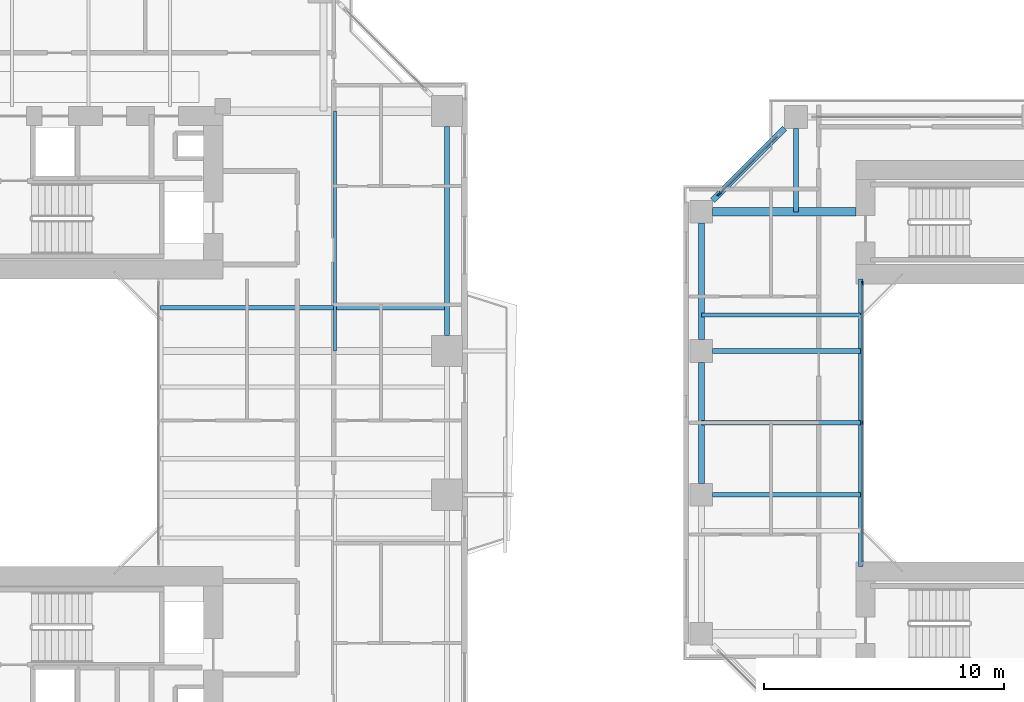
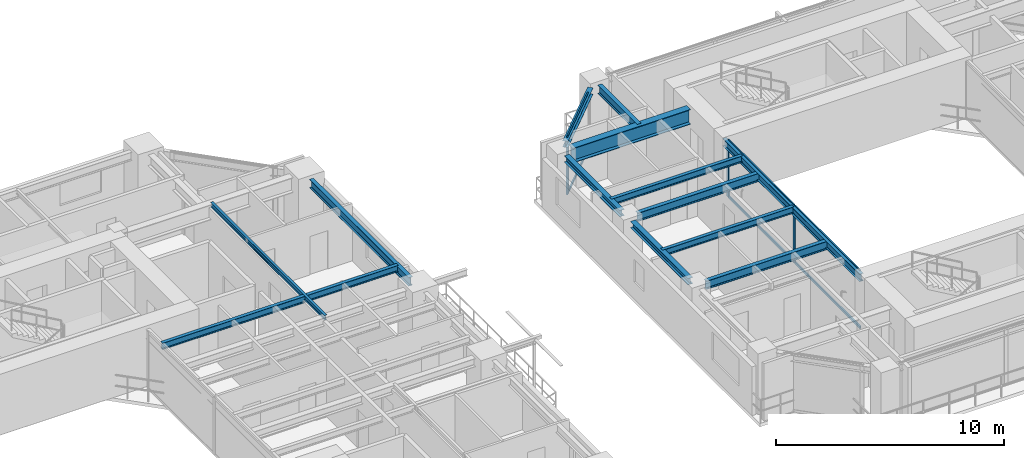
# One storey, part 8 of 24: 13 beams, 9 members, 2 elements without a shape of their own.
"""IFC4 building model written with IfcOpenShell, lengths in metres."""

import ifcopenshell
import ifcopenshell.guid

model = None  # the IFC model being written
_history = None  # IfcOwnerHistory: only IFC2X3 demands one
_inside = {}  # id of a spatial element -> (the spatial element, [elements in it])
_under = {}  # id of a project, library or spatial element -> (it, [spatial elements below it])
_declared = {}  # id of a project -> (the project, [libraries it declares])
_typed = {}  # id of a type object -> (the type object, [elements of that type])
_made_of = {}  # id of a material, layer set ... -> (it, [elements and type objects made of it])


def new_model(schema):
    """Start an empty IFC model of exactly this schema.

    Asked for "IFC4X3", IfcOpenShell would pick the latest addendum, in which some entities
    have other attributes; the version numbers below select the first issue.
    IFC2X3 requires an IfcOwnerHistory on every rooted entity: one is made here for all.
    """
    global model, _history
    if schema == "IFC4X3":
        model = ifcopenshell.file(schema_version=(4, 3, 0, 0))
    else:
        model = ifcopenshell.file(schema=schema)
    _inside.clear()
    _under.clear()
    _declared.clear()
    _typed.clear()
    _made_of.clear()
    _history = None
    if model.schema == "IFC2X3":
        org = make("IfcOrganization", Name="unknown")
        user = make(
            "IfcPersonAndOrganization",
            ThePerson=make("IfcPerson", FamilyName="unknown"),
            TheOrganization=org,
        )
        app = make(
            "IfcApplication",
            ApplicationDeveloper=org,
            Version="unknown",
            ApplicationFullName="unknown",
            ApplicationIdentifier="unknown",
        )
        _history = make(
            "IfcOwnerHistory",
            OwningUser=user,
            OwningApplication=app,
            ChangeAction="ADDED",
            CreationDate=0,
        )
    return model


def make(cls, **values):
    """One entity of the class cls with the attributes given. An attribute that is None is left unset."""
    return model.create_entity(
        cls, **{name: value for name, value in values.items() if value is not None}
    )


def rooted(cls, **values):
    """An entity with a GlobalId (a new one), such as an element, a storey or a relation."""
    return make(cls, GlobalId=ifcopenshell.guid.new(), OwnerHistory=_history, **values)


def si_unit(unit_type, name, prefix=None):
    """IfcSIUnit, for example si_unit("LENGTHUNIT", "METRE", prefix="MILLI")."""
    return make("IfcSIUnit", UnitType=unit_type, Prefix=prefix, Name=name)


def assignment(units):
    """IfcUnitAssignment: the units of a project."""
    return None if units is None else make("IfcUnitAssignment", Units=units)


def point(xyz):
    """IfcCartesianPoint."""
    return None if xyz is None else make("IfcCartesianPoint", Coordinates=xyz)


def direction(xyz):
    """IfcDirection."""
    return None if xyz is None else make("IfcDirection", DirectionRatios=xyz)


def frame(location, z_axis=None, x_axis=None):
    """IfcAxis2Placement3D, a coordinate frame: its origin and axes. An axis left out is left unset."""
    return make(
        "IfcAxis2Placement3D",
        Location=point(location),
        Axis=direction(z_axis),
        RefDirection=direction(x_axis),
    )


def frame_2d(location, x_axis=None):
    """IfcAxis2Placement2D, a coordinate frame in the plane: its origin and x axis."""
    return make(
        "IfcAxis2Placement2D", Location=point(location), RefDirection=direction(x_axis)
    )


def origin():
    """The frame at (0, 0, 0) with its axes left unset."""
    return frame((0.0, 0.0, 0.0))


def origin_2d():
    """The frame at (0, 0) in the plane with its x axis left unset."""
    return frame_2d((0.0, 0.0))


def place(relative_to, where):
    """IfcLocalPlacement: puts the frame where relative to a parent placement (None: the world)."""
    return make(
        "IfcLocalPlacement", PlacementRelTo=relative_to, RelativePlacement=where
    )


def context(
    kind, dimensions, precision=None, world=None, true_north=None, identifier=None
):
    """IfcGeometricRepresentationContext, for example the 3D "Model" context."""
    return make(
        "IfcGeometricRepresentationContext",
        ContextIdentifier=identifier,
        ContextType=kind,
        CoordinateSpaceDimension=dimensions,
        Precision=precision,
        WorldCoordinateSystem=world,
        TrueNorth=true_north,
    )


def subcontext(parent, identifier, kind, view, scale=None):
    """IfcGeometricRepresentationSubContext, for example "Body" below "Model"."""
    return make(
        "IfcGeometricRepresentationSubContext",
        ContextIdentifier=identifier,
        ContextType=kind,
        ParentContext=parent,
        TargetScale=scale,
        TargetView=view,
    )


def project(units=None, contexts=None):
    """IfcProject with its units and contexts."""
    return rooted(
        "IfcProject",
        Name="project",
        RepresentationContexts=contexts,
        UnitsInContext=assignment(units),
    )


def spatial(cls, under=None, at=None, **own):
    """A site, building, storey or space (cls), placed at a placement, below another one or the project."""
    s = rooted(cls, ObjectPlacement=at, **own)
    if under is not None:
        _under.setdefault(under.id(), (under, []))[1].append(s)
    return s


def profile(cls, at=None, kind="AREA", **sizes):
    """A parametric profile (cls). Its sizes go by their IFC names, for example OverallWidth=200.0."""
    return make(cls, ProfileType=kind, Position=at, **sizes)


def rectangle(**sizes):
    """IfcRectangleProfileDef."""
    return profile("IfcRectangleProfileDef", **sizes)


def i_section(**sizes):
    """IfcIShapeProfileDef."""
    return profile("IfcIShapeProfileDef", **sizes)


def extrude(swept, where, along, depth):
    """IfcExtrudedAreaSolid: the profile swept, set in the frame where, extruded along a direction by depth."""
    return make(
        "IfcExtrudedAreaSolid",
        SweptArea=swept,
        Position=where,
        ExtrudedDirection=direction(along),
        Depth=depth,
    )


def shape(context_of_items, identifier, shape_type, items):
    """IfcShapeRepresentation: the items that make up one representation, for example the "Body"."""
    return make(
        "IfcShapeRepresentation",
        ContextOfItems=context_of_items,
        RepresentationIdentifier=identifier,
        RepresentationType=shape_type,
        Items=items,
    )


def source(mapping_origin, context_of_items, identifier, shape_type, items):
    """IfcRepresentationMap: a shape defined once, which mapped items show again and again."""
    return make(
        "IfcRepresentationMap",
        MappingOrigin=mapping_origin,
        MappedRepresentation=shape(context_of_items, identifier, shape_type, items),
    )


def transform(
    local_origin,
    x_axis=None,
    y_axis=None,
    z_axis=None,
    scale=None,
    scale2=None,
    scale3=None,
    uniform=True,
):
    """IfcCartesianTransformationOperator3D, or its non-uniform kind. x_axis, y_axis, z_axis: its Axis1, 2, 3."""
    if uniform:
        return make(
            "IfcCartesianTransformationOperator3D",
            Axis1=direction(x_axis),
            Axis2=direction(y_axis),
            LocalOrigin=point(local_origin),
            Scale=scale,
            Axis3=direction(z_axis),
        )
    return make(
        "IfcCartesianTransformationOperator3DnonUniform",
        Axis1=direction(x_axis),
        Axis2=direction(y_axis),
        LocalOrigin=point(local_origin),
        Scale=scale,
        Axis3=direction(z_axis),
        Scale2=scale2,
        Scale3=scale3,
    )


def mapped(mapping_source, mapping_target):
    """IfcMappedItem: shows the shape of a source again, moved by a transform."""
    return make(
        "IfcMappedItem", MappingSource=mapping_source, MappingTarget=mapping_target
    )


def material(Name=None, Category=None):
    """IfcMaterial."""
    return make("IfcMaterial", Name=Name, Category=Category)


def layer(
    of_material, thickness, ventilated=None, Name=None, Category=None, Priority=None
):
    """IfcMaterialLayer: one layer of a wall or slab, of a material (None: an air gap)."""
    return make(
        "IfcMaterialLayer",
        Material=of_material,
        LayerThickness=thickness,
        IsVentilated=ventilated,
        Name=Name,
        Category=Category,
        Priority=Priority,
    )


def layer_set(layers, Name=None):
    """IfcMaterialLayerSet."""
    return make("IfcMaterialLayerSet", MaterialLayers=layers, LayerSetName=Name)


def material_profile(
    of_material, cross_section, Name=None, Category=None, Priority=None
):
    """IfcMaterialProfile: a cross section and its material."""
    return make(
        "IfcMaterialProfile",
        Name=Name,
        Material=of_material,
        Profile=cross_section,
        Priority=Priority,
        Category=Category,
    )


def profile_set(profiles, Name=None, composite=None):
    """IfcMaterialProfileSet."""
    return make(
        "IfcMaterialProfileSet",
        Name=Name,
        MaterialProfiles=profiles,
        CompositeProfile=composite,
    )


def made_of(thing, what):
    """Note that an element or type object is made of a material, layer set ...; save() writes the relation."""
    if what is not None:
        _made_of.setdefault(what.id(), (what, []))[1].append(thing)
    return thing


def type_object(cls, material=None, **own):
    """A type object (cls), such as IfcWallType, which elements share."""
    return made_of(rooted(cls, **own), material)


def element(
    cls,
    number,
    at=None,
    inside=None,
    cuts=None,
    type_object=None,
    material=None,
    context=None,
    identifier="Body",
    shape_type=None,
    held_by="IfcProductDefinitionShape",
    body=None,
    shapes=None,
    **own,
):
    """One element of the class cls, such as IfcWall. Its Tag is "e" and its number.

    at: its placement. inside: the storey or other place that contains it. cuts: it is an
    opening in that element (IfcRelVoidsElement). A single representation is given by context,
    identifier, shape_type and body (its items); several are given by shapes. held_by: the class
    of the entity that holds the representations. save() writes the other relations.
    """
    e = rooted(cls, Tag="e%d" % number, ObjectPlacement=at, **own)
    if body is not None:
        shapes = [shape(context, identifier, shape_type, body)]
    if shapes is not None:
        e.Representation = make(held_by, Representations=shapes)
    if inside is not None:
        _inside.setdefault(inside.id(), (inside, []))[1].append(e)
    if cuts is not None:
        rooted(
            "IfcRelVoidsElement", RelatingBuildingElement=cuts, RelatedOpeningElement=e
        )
    if type_object is not None:
        _typed.setdefault(type_object.id(), (type_object, []))[1].append(e)
    return made_of(e, material)


def aggregate(whole, parts):
    """IfcRelAggregates: a whole, such as a stair, and the parts it consists of."""
    return rooted("IfcRelAggregates", RelatingObject=whole, RelatedObjects=parts)


def save(model, path):
    """Write the relations noted so far, then the file.

    IfcRelAggregates (storeys below a building ...), IfcRelContainedInSpatialStructure (elements
    in a storey), IfcRelDefinesByType, IfcRelAssociatesMaterial and IfcRelDeclares: one each for
    every whole, place, type object, material and project.
    """
    for whole, parts in _under.values():
        aggregate(whole, parts)
    for where, things in _inside.values():
        rooted(
            "IfcRelContainedInSpatialStructure",
            RelatedElements=things,
            RelatingStructure=where,
        )
    for kind, things in _typed.values():
        rooted("IfcRelDefinesByType", RelatedObjects=things, RelatingType=kind)
    for what, things in _made_of.values():
        rooted("IfcRelAssociatesMaterial", RelatedObjects=things, RelatingMaterial=what)
    for by, libraries in _declared.values():
        rooted("IfcRelDeclares", RelatingContext=by, RelatedDefinitions=libraries)
    model.write(path)


model = new_model("IFC4")

# Units and contexts
model_context = context("Model", 3, precision=1e-05, world=origin(), true_north=direction((0.0, 1.0)))
body_context = subcontext(model_context, "Body", "Model", "MODEL_VIEW")
ifc_project = project(units=[si_unit("LENGTHUNIT", "METRE"), si_unit("AREAUNIT", "SQUARE_METRE"), si_unit("VOLUMEUNIT", "CUBIC_METRE"), si_unit("PLANEANGLEUNIT", "RADIAN"), si_unit("MASSUNIT", "GRAM", prefix="KILO"), si_unit("THERMODYNAMICTEMPERATUREUNIT", "KELVIN"), si_unit("POWERUNIT", "WATT")], contexts=[model_context])

# Site, building, storey
site_placement = place(None, origin())
site = spatial("IfcSite", under=ifc_project, at=site_placement, CompositionType="ELEMENT")
building_placement = place(site_placement, origin())
building = spatial("IfcBuilding", under=site, at=building_placement, Name="Qiaomeng Ring Towers", CompositionType="ELEMENT")
storey_placement = place(building_placement, frame((0.0, 0.0, 36.0)))
storey = spatial("IfcBuildingStorey", under=building, at=storey_placement, Name="L09", CompositionType="ELEMENT", Elevation=36.0)

# Beams
ifc_material_1 = material(Name="Steel Q355B", Category="steel")
ifc_material_profile_1 = material_profile(ifc_material_1, i_section(OverallWidth=0.199951171875, OverallDepth=0.449951171875, WebThickness=0.009033203125, FlangeThickness=0.013916015625, FilletRadius=0.01806640625, at=origin_2d()), Name="HN 450x200x9x14")
ifc_profile_set_1 = profile_set([ifc_material_profile_1], Name="Steel Q355B")
beam_type_1 = type_object("IfcBeamType", Name="STR-BM-HN450", PredefinedType="SPANDREL", material=ifc_profile_set_1)
shared_shape_1 = source(origin(), body_context, "Body", "SweptSolid", [
    extrude(i_section(OverallWidth=0.199951171875, OverallDepth=0.449951171875, WebThickness=0.009033203125, FlangeThickness=0.013916015625, FilletRadius=0.01806640625, at=origin_2d()), origin(), (0.0, 0.0, 1.0), 8.7021484375),
])
beam_1_placement = place(storey_placement, frame((37.14990234375, 26.64892578125, 2.844970703125), z_axis=(0.0, 1.0, 0.0), x_axis=(-1.0, 0.0, 0.0)))
element("IfcBeam", 1, at=beam_1_placement, inside=storey, type_object=beam_type_1, Name="L09 beam STR-SP-L09-T1-E3-E4", PredefinedType="SPANDREL", context=body_context, shape_type="MappedRepresentation", body=[
    mapped(shared_shape_1, transform((0.0, 0.0, 0.0), x_axis=(1.0, 0.0, 0.0), y_axis=(0.0, 1.0, 0.0), z_axis=(0.0, 0.0, 1.0), scale=1.0)),
])
ifc_material_profile_2 = material_profile(ifc_material_1, i_section(OverallWidth=0.25, OverallDepth=0.340087890625, WebThickness=0.009033203125, FlangeThickness=0.013916015625, FilletRadius=0.02001953125, at=origin_2d()), Name="HM 340x250x9x14")
ifc_profile_set_2 = profile_set([ifc_material_profile_2], Name="Steel Q355B")
beam_type_2 = type_object("IfcBeamType", Name="STR-BM-HM340", PredefinedType="SPANDREL", material=ifc_profile_set_2)
shared_shape_2 = source(origin(), body_context, "Body", "SweptSolid", [
    extrude(i_section(OverallWidth=0.25, OverallDepth=0.340087890625, WebThickness=0.009033203125, FlangeThickness=0.013916015625, FilletRadius=0.02001953125, at=origin_2d()), origin(), (0.0, 0.0, 1.0), 4.244384765625),
])
beam_2_placement = place(storey_placement, frame((51.2255859375, 35.275634765625, 2.89990234375), z_axis=(-0.707106781187, -0.707106781187, 0.0), x_axis=(0.707106781187, -0.707106781187, 0.0)))
element("IfcBeam", 2, at=beam_2_placement, inside=storey, type_object=beam_type_2, Name="L09 beam STR-SP-L09-T2-N1-W4", PredefinedType="SPANDREL", context=body_context, shape_type="MappedRepresentation", body=[
    mapped(shared_shape_2, transform((0.0, 0.0, 0.0), x_axis=(1.0, 0.0, 0.0), y_axis=(0.0, 1.0, 0.0), z_axis=(0.0, 0.0, 1.0), scale=1.0)),
])
shared_shape_3 = source(origin(), body_context, "Body", "SweptSolid", [
    extrude(i_section(OverallWidth=0.25, OverallDepth=0.340087890625, WebThickness=0.009033203125, FlangeThickness=0.013916015625, FilletRadius=0.02001953125, at=origin_2d()), origin(), (0.0, 0.0, 1.0), 4.851806640625),
])
beam_3_placement = place(storey_placement, frame((47.75, 31.325927734375, 2.89990234375), z_axis=(0.0, -1.0, 0.0), x_axis=(1.0, 0.0, 0.0)))
element("IfcBeam", 3, at=beam_3_placement, inside=storey, type_object=beam_type_2, Name="L09 beam STR-SP-L09-T2-W4-W3", PredefinedType="SPANDREL", context=body_context, shape_type="MappedRepresentation", body=[
    mapped(shared_shape_3, transform((0.0, 0.0, 0.0), x_axis=(1.0, 0.0, 0.0), y_axis=(0.0, 1.0, 0.0), z_axis=(0.0, 0.0, 1.0), scale=1.0)),
])
shared_shape_4 = source(origin(), body_context, "Body", "SweptSolid", [
    extrude(i_section(OverallWidth=0.25, OverallDepth=0.340087890625, WebThickness=0.009033203125, FlangeThickness=0.013916015625, FilletRadius=0.02001953125, at=origin_2d()), origin(), (0.0, 0.0, 1.0), 5.0517578125),
])
beam_4_placement = place(storey_placement, frame((47.75, 25.52587890625, 2.89990234375), z_axis=(0.0, -1.0, 0.0), x_axis=(1.0, 0.0, 0.0)))
element("IfcBeam", 4, at=beam_4_placement, inside=storey, type_object=beam_type_2, Name="L09 beam STR-SP-L09-T2-W3-W2", PredefinedType="SPANDREL", context=body_context, shape_type="MappedRepresentation", body=[
    mapped(shared_shape_4, transform((0.0, 0.0, 0.0), x_axis=(1.0, 0.0, 0.0), y_axis=(0.0, 1.0, 0.0), z_axis=(0.0, 0.0, 1.0), scale=1.0)),
])
ifc_material_profile_3 = material_profile(ifc_material_1, i_section(OverallWidth=0.199951171875, OverallDepth=0.39990234375, WebThickness=0.008056640625, FlangeThickness=0.012939453125, FilletRadius=0.01611328125, at=origin_2d()), Name="HN 400x200x8x13")
ifc_profile_set_3 = profile_set([ifc_material_profile_3], Name="Steel Q355B")
beam_type_3 = type_object("IfcBeamType", Name="STR-BM-HN400", PredefinedType="SPANDREL", material=ifc_profile_set_3)
shared_shape_5 = source(origin(), body_context, "Body", "SweptSolid", [
    extrude(i_section(OverallWidth=0.199951171875, OverallDepth=0.39990234375, WebThickness=0.008056640625, FlangeThickness=0.012939453125, FilletRadius=0.01611328125, at=origin_2d()), origin(), (0.0, 0.0, 1.0), 12.0),
])
beam_5_placement = place(storey_placement, frame((54.39990234375, 17.0, 2.8701171875), z_axis=(0.0, 1.0, 0.0), x_axis=(-1.0, 0.0, 0.0)))
element("IfcBeam", 5, at=beam_5_placement, inside=storey, type_object=beam_type_3, Name="L09 beam STR-BM-L09-T2-WELL-W", PredefinedType="SPANDREL", context=body_context, shape_type="MappedRepresentation", body=[
    mapped(shared_shape_5, transform((0.0, 0.0, 0.0), x_axis=(1.0, 0.0, 0.0), y_axis=(0.0, 1.0, 0.0), z_axis=(0.0, 0.0, 1.0), scale=1.0)),
])
ifc_material_2 = material(Name="Steel Q390GJC", Category="steel")
ifc_material_profile_4 = material_profile(ifc_material_2, i_section(OverallWidth=0.35009765625, OverallDepth=0.800048828125, WebThickness=0.01611328125, FlangeThickness=0.028076171875, at=origin_2d()), Name="WH 800x350x16x28")
ifc_profile_set_4 = profile_set([ifc_material_profile_4], Name="Steel Q390GJC")
beam_type_4 = type_object("IfcBeamType", Name="STR-BM-WH800", PredefinedType="BEAM", material=ifc_profile_set_4)
shared_shape_6 = source(origin(), body_context, "Body", "SweptSolid", [
    extrude(i_section(OverallWidth=0.35009765625, OverallDepth=0.800048828125, WebThickness=0.01611328125, FlangeThickness=0.028076171875, at=origin_2d()), origin(), (0.0, 0.0, 1.0), 5.975830078125),
])
beam_6_placement = place(storey_placement, frame((48.22412109375, 31.800048828125, 2.669921875), z_axis=(1.0, 0.0, 0.0), x_axis=(0.0, 1.0, 0.0)))
element("IfcBeam", 6, at=beam_6_placement, inside=storey, type_object=beam_type_4, Name="L09 beam STR-BM-L09-T2-RAD-W4", PredefinedType="BEAM", context=body_context, shape_type="MappedRepresentation", body=[
    mapped(shared_shape_6, transform((0.0, 0.0, 0.0), x_axis=(1.0, 0.0, 0.0), y_axis=(0.0, 1.0, 0.0), z_axis=(0.0, 0.0, 1.0), scale=1.0)),
])
shared_shape_7 = source(origin(), body_context, "Body", "SweptSolid", [
    extrude(i_section(OverallWidth=0.199951171875, OverallDepth=0.449951171875, WebThickness=0.009033203125, FlangeThickness=0.013916015625, FilletRadius=0.01806640625, at=origin_2d()), origin(), (0.0, 0.0, 1.0), 6.17578125),
])
for number, where, z_axis, x_axis, name in (
    (7, (48.22412109375, 20.0, 2.844970703125), (1.0, 0.0, 0.0), (0.0, 1.0, 0.0), "L09 beam STR-BM-L09-T2-RAD-W2"),
    (8, (48.22412109375, 26.0, 2.844970703125), (1.0, 0.0, 0.0), (0.0, 1.0, 0.0), "L09 beam STR-BM-L09-T2-RAD-W3"),
):
    element("IfcBeam", number, at=place(storey_placement, frame(where, z_axis=z_axis, x_axis=x_axis)), inside=storey, type_object=beam_type_1, Name=name, PredefinedType="SPANDREL", context=body_context, shape_type="MappedRepresentation", body=[
        mapped(shared_shape_7, transform((0.0, 0.0, 0.0), x_axis=(1.0, 0.0, 0.0), y_axis=(0.0, 1.0, 0.0), z_axis=(0.0, 0.0, 1.0), scale=1.0)),
    ])
shared_shape_8 = source(origin(), body_context, "Body", "SweptSolid", [
    extrude(i_section(OverallWidth=0.199951171875, OverallDepth=0.449951171875, WebThickness=0.009033203125, FlangeThickness=0.013916015625, FilletRadius=0.01806640625, at=origin_2d()), origin(), (0.0, 0.0, 1.0), 3.475830078125),
])
beam_7_placement = place(storey_placement, frame((51.699951171875, 35.27587890625, 2.844970703125), z_axis=(0.0, -1.0, 0.0), x_axis=(1.0, 0.0, 0.0)))
element("IfcBeam", 9, at=beam_7_placement, inside=storey, type_object=beam_type_1, Name="L09 beam STR-BM-L09-T2-RAD-N1", PredefinedType="SPANDREL", context=body_context, shape_type="MappedRepresentation", body=[
    mapped(shared_shape_8, transform((0.0, 0.0, 0.0), x_axis=(1.0, 0.0, 0.0), y_axis=(0.0, 1.0, 0.0), z_axis=(0.0, 0.0, 1.0), scale=1.0)),
])
ifc_material_profile_5 = material_profile(ifc_material_1, i_section(OverallWidth=0.175048828125, OverallDepth=0.35009765625, WebThickness=0.007080078125, FlangeThickness=0.010986328125, FilletRadius=0.013916015625, at=origin_2d()), Name="HN 350x175x7x11")
ifc_profile_set_5 = profile_set([ifc_material_profile_5], Name="Steel Q355B")
beam_type_5 = type_object("IfcBeamType", Name="STR-BM-HN350", PredefinedType="JOIST", material=ifc_profile_set_5)
shared_shape_9 = source(origin(), body_context, "Body", "SweptSolid", [
    extrude(i_section(OverallWidth=0.175048828125, OverallDepth=0.35009765625, WebThickness=0.007080078125, FlangeThickness=0.010986328125, FilletRadius=0.013916015625, at=origin_2d()), origin(), (0.0, 0.0, 1.0), 11.949951171875),
])
beam_8_placement = place(storey_placement, frame((25.199951171875, 27.800048828125, 2.89501953125), z_axis=(1.0, 0.0, 0.0), x_axis=(0.0, 1.0, 0.0)))
element("IfcBeam", 10, at=beam_8_placement, inside=storey, type_object=beam_type_5, Name="L09 beam STR-JST-L09-T1E-4", PredefinedType="JOIST", context=body_context, shape_type="MappedRepresentation", body=[
    mapped(shared_shape_9, transform((0.0, 0.0, 0.0), x_axis=(1.0, 0.0, 0.0), y_axis=(0.0, 1.0, 0.0), z_axis=(0.0, 0.0, 1.0), scale=1.0)),
])
ifc_material_profile_6 = material_profile(ifc_material_1, i_section(OverallWidth=0.125, OverallDepth=0.25, WebThickness=0.006103515625, FlangeThickness=0.009033203125, FilletRadius=0.011962890625, at=origin_2d()), Name="HN 250x125x6x9")
ifc_profile_set_6 = profile_set([ifc_material_profile_6], Name="Steel Q355B")
beam_type_6 = type_object("IfcBeamType", Name="STR-BM-HN250", PredefinedType="JOIST", material=ifc_profile_set_6)
shared_shape_10 = source(origin(), body_context, "Body", "SweptSolid", [
    extrude(i_section(OverallWidth=0.125, OverallDepth=0.25, WebThickness=0.006103515625, FlangeThickness=0.009033203125, FilletRadius=0.011962890625, at=origin_2d()), origin(), (0.0, 0.0, 1.0), 10.0),
])
beam_9_placement = place(storey_placement, frame((32.47509765625, 26.0, 2.945068359375), z_axis=(0.0, 1.0, 0.0), x_axis=(-1.0, 0.0, 0.0)))
element("IfcBeam", 11, at=beam_9_placement, inside=storey, type_object=beam_type_6, Name="L09 beam STR-JST-L09-T1C-EN", PredefinedType="JOIST", context=body_context, shape_type="MappedRepresentation", body=[
    mapped(shared_shape_10, transform((0.0, 0.0, 0.0), x_axis=(1.0, 0.0, 0.0), y_axis=(0.0, 1.0, 0.0), z_axis=(0.0, 0.0, 1.0), scale=1.0)),
])
shared_shape_11 = source(origin(), body_context, "Body", "SweptSolid", [
    extrude(i_section(OverallWidth=0.175048828125, OverallDepth=0.35009765625, WebThickness=0.007080078125, FlangeThickness=0.010986328125, FilletRadius=0.013916015625, at=origin_2d()), origin(), (0.0, 0.0, 1.0), 6.64990234375),
])
for number, where, z_axis, x_axis, name in (
    (12, (47.75, 23.0, 2.89501953125), (1.0, 0.0, 0.0), (0.0, 1.0, 0.0), "L09 beam STR-JST-L09-T2W-2"),
    (13, (47.75, 27.5, 2.89501953125), (1.0, 0.0, 0.0), (0.0, 1.0, 0.0), "L09 beam STR-JST-L09-T2W-3"),
):
    element("IfcBeam", number, at=place(storey_placement, frame(where, z_axis=z_axis, x_axis=x_axis)), inside=storey, type_object=beam_type_5, Name=name, PredefinedType="JOIST", context=body_context, shape_type="MappedRepresentation", body=[
        mapped(shared_shape_11, transform((0.0, 0.0, 0.0), x_axis=(1.0, 0.0, 0.0), y_axis=(0.0, 1.0, 0.0), z_axis=(0.0, 0.0, 1.0), scale=1.0)),
    ])

# Curtain wall, members
ifc_material_3 = material(Name="Fluorocarbon dark-grey aluminium", Category="aluminium")
ifc_layer_1 = layer(ifc_material_3, 0.139892578125, Name="Fluorocarbon dark-grey aluminium")
ifc_layer_set_1 = layer_set([ifc_layer_1], Name="Fluorocarbon dark-grey aluminium")
curtain_wall_type_1 = type_object("IfcCurtainWallType", Name="ARC-CW-4", PredefinedType="NOTDEFINED", material=ifc_layer_set_1)
curtain_wall_1_placement = place(storey_placement, origin())
curtain_wall_1 = element("IfcCurtainWall", 14, at=curtain_wall_1_placement, inside=storey, type_object=curtain_wall_type_1, Name="L09 Curtain Wall CW4", PredefinedType="NOTDEFINED")
ifc_material_profile_7 = material_profile(ifc_material_3, rectangle(XDim=0.06494140625, YDim=0.159912109375, at=origin_2d()), Name="ALU MULL 65x160")
ifc_profile_set_7 = profile_set([ifc_material_profile_7], Name="Fluorocarbon dark-grey aluminium")
member_type_1 = type_object("IfcMemberType", Name="ARC-CWM-140", PredefinedType="MULLION", material=ifc_profile_set_7)
shared_shape_12 = source(origin(), body_context, "Body", "SweptSolid", [
    extrude(rectangle(XDim=0.06494140625, YDim=0.159912109375, at=origin_2d()), origin(), (0.0, 0.0, 1.0), 3.070068359375),
])
member_1_placement = place(storey_placement, frame((54.47998046875, 23.0, 0.0), z_axis=(0.0, 0.0, 1.0), x_axis=(-1.0, 0.0, 0.0)))
member_1 = element("IfcMember", 15, at=member_1_placement, type_object=member_type_1, Name="CW4 mullion 2", PredefinedType="MULLION", context=body_context, shape_type="MappedRepresentation", body=[
    mapped(shared_shape_12, transform((0.0, 0.0, 0.0), x_axis=(1.0, 0.0, 0.0), y_axis=(0.0, 1.0, 0.0), z_axis=(0.0, 0.0, 1.0), scale=1.0)),
])
member_2_placement = place(storey_placement, frame((54.47998046875, 28.8173828125, 0.0), z_axis=(0.0, 0.0, 1.0), x_axis=(-1.0, 0.0, 0.0)))
member_2 = element("IfcMember", 16, at=member_2_placement, type_object=member_type_1, Name="CW4 mullion 3", PredefinedType="MULLION", context=body_context, shape_type="MappedRepresentation", body=[
    mapped(shared_shape_12, transform((0.0, 0.0, 0.0), x_axis=(1.0, 0.0, 0.0), y_axis=(0.0, 1.0, 0.0), z_axis=(0.0, 0.0, 1.0), scale=1.0)),
])
ifc_material_profile_8 = material_profile(ifc_material_3, rectangle(XDim=0.06494140625, YDim=0.1298828125, at=origin_2d()), Name="ALU TRAN 65x130")
ifc_profile_set_8 = profile_set([ifc_material_profile_8], Name="Fluorocarbon dark-grey aluminium")
member_type_2 = type_object("IfcMemberType", Name="ARC-CWT-120", PredefinedType="USERDEFINED", material=ifc_profile_set_8)
shared_shape_13 = source(origin(), body_context, "Body", "SweptSolid", [
    extrude(rectangle(XDim=0.06494140625, YDim=0.1298828125, at=origin_2d()), origin(), (0.0, 0.0, 1.0), 5.75244140625),
])
member_3_placement = place(storey_placement, frame((54.47998046875, 17.215087890625, 0.032470703125), z_axis=(0.0, 1.0, 0.0), x_axis=(-1.0, 0.0, 0.0)))
member_3 = element("IfcMember", 17, at=member_3_placement, type_object=member_type_2, Name="CW4 transom 1.1", ObjectType="TRANSOM", PredefinedType="USERDEFINED", context=body_context, shape_type="MappedRepresentation", body=[
    mapped(shared_shape_13, transform((0.0, 0.0, 0.0), x_axis=(1.0, 0.0, 0.0), y_axis=(0.0, 1.0, 0.0), z_axis=(0.0, 0.0, 1.0), scale=1.0)),
])
member_4_placement = place(storey_placement, frame((54.47998046875, 17.215087890625, 3.03759765625), z_axis=(0.0, 1.0, 0.0), x_axis=(-1.0, 0.0, 0.0)))
member_4 = element("IfcMember", 18, at=member_4_placement, type_object=member_type_2, Name="CW4 transom 1.2", ObjectType="TRANSOM", PredefinedType="USERDEFINED", context=body_context, shape_type="MappedRepresentation", body=[
    mapped(shared_shape_13, transform((0.0, 0.0, 0.0), x_axis=(1.0, 0.0, 0.0), y_axis=(0.0, 1.0, 0.0), z_axis=(0.0, 0.0, 1.0), scale=1.0)),
])
member_5_placement = place(storey_placement, frame((54.47998046875, 23.032470703125, 0.032470703125), z_axis=(0.0, 1.0, 0.0), x_axis=(-1.0, 0.0, 0.0)))
member_5 = element("IfcMember", 19, at=member_5_placement, type_object=member_type_2, Name="CW4 transom 2.1", ObjectType="TRANSOM", PredefinedType="USERDEFINED", context=body_context, shape_type="MappedRepresentation", body=[
    mapped(shared_shape_13, transform((0.0, 0.0, 0.0), x_axis=(1.0, 0.0, 0.0), y_axis=(0.0, 1.0, 0.0), z_axis=(0.0, 0.0, 1.0), scale=1.0)),
])
member_6_placement = place(storey_placement, frame((54.47998046875, 23.032470703125, 3.03759765625), z_axis=(0.0, 1.0, 0.0), x_axis=(-1.0, 0.0, 0.0)))
member_6 = element("IfcMember", 20, at=member_6_placement, type_object=member_type_2, Name="CW4 transom 2.2", ObjectType="TRANSOM", PredefinedType="USERDEFINED", context=body_context, shape_type="MappedRepresentation", body=[
    mapped(shared_shape_13, transform((0.0, 0.0, 0.0), x_axis=(1.0, 0.0, 0.0), y_axis=(0.0, 1.0, 0.0), z_axis=(0.0, 0.0, 1.0), scale=1.0)),
])
aggregate(curtain_wall_1, [member_1, member_2, member_3, member_4, member_5, member_6])

ifc_layer_2 = layer(ifc_material_3, 0.14990234375, Name="Fluorocarbon dark-grey aluminium")
ifc_layer_set_2 = layer_set([ifc_layer_2], Name="Fluorocarbon dark-grey aluminium")
curtain_wall_type_2 = type_object("IfcCurtainWallType", Name="ARC-CW-5", PredefinedType="NOTDEFINED", material=ifc_layer_set_2)
curtain_wall_2_placement = place(storey_placement, origin())
curtain_wall_2 = element("IfcCurtainWall", 21, at=curtain_wall_2_placement, inside=storey, type_object=curtain_wall_type_2, Name="L09 Curtain Wall CW5", PredefinedType="NOTDEFINED")
ifc_material_profile_9 = material_profile(ifc_material_3, rectangle(XDim=0.070068359375, YDim=0.179931640625, at=origin_2d()), Name="ALU MULL 70x180")
ifc_profile_set_9 = profile_set([ifc_material_profile_9], Name="Fluorocarbon dark-grey aluminium")
member_type_3 = type_object("IfcMemberType", Name="ARC-CWM-160", PredefinedType="MULLION", material=ifc_profile_set_9)
shared_shape_14 = source(origin(), body_context, "Body", "SweptSolid", [
    extrude(rectangle(XDim=0.070068359375, YDim=0.179931640625, at=origin_2d()), origin(), (0.0, 0.0, 1.0), 3.070068359375),
])
member_7_placement = place(storey_placement, frame((48.48974609375, 32.539794921875, 0.0), z_axis=(0.0, 0.0, 1.0), x_axis=(0.707106781187, -0.707106781187, 0.0)))
member_7 = element("IfcMember", 22, at=member_7_placement, type_object=member_type_3, Name="CW5 mullion 2", PredefinedType="MULLION", context=body_context, shape_type="MappedRepresentation", body=[
    mapped(shared_shape_14, transform((0.0, 0.0, 0.0), x_axis=(1.0, 0.0, 0.0), y_axis=(0.0, 1.0, 0.0), z_axis=(0.0, 0.0, 1.0), scale=1.0)),
])
shared_shape_15 = source(origin(), body_context, "Body", "SweptSolid", [
    extrude(rectangle(XDim=0.06494140625, YDim=0.1298828125, at=origin_2d()), origin(), (0.0, 0.0, 1.0), 3.424072265625),
])
member_8_placement = place(storey_placement, frame((50.935546875, 34.985595703125, 0.032470703125), z_axis=(-0.707106781187, -0.707106781187, 0.0), x_axis=(0.707106781187, -0.707106781187, 0.0)))
member_8 = element("IfcMember", 23, at=member_8_placement, type_object=member_type_2, Name="CW5 transom 1.1", ObjectType="TRANSOM", PredefinedType="USERDEFINED", context=body_context, shape_type="MappedRepresentation", body=[
    mapped(shared_shape_15, transform((0.0, 0.0, 0.0), x_axis=(1.0, 0.0, 0.0), y_axis=(0.0, 1.0, 0.0), z_axis=(0.0, 0.0, 1.0), scale=1.0)),
])
member_9_placement = place(storey_placement, frame((50.935546875, 34.985595703125, 3.03759765625), z_axis=(-0.707106781187, -0.707106781187, 0.0), x_axis=(0.707106781187, -0.707106781187, 0.0)))
member_9 = element("IfcMember", 24, at=member_9_placement, type_object=member_type_2, Name="CW5 transom 1.2", ObjectType="TRANSOM", PredefinedType="USERDEFINED", context=body_context, shape_type="MappedRepresentation", body=[
    mapped(shared_shape_15, transform((0.0, 0.0, 0.0), x_axis=(1.0, 0.0, 0.0), y_axis=(0.0, 1.0, 0.0), z_axis=(0.0, 0.0, 1.0), scale=1.0)),
])
aggregate(curtain_wall_2, [member_7, member_8, member_9])

save(model, "model.ifc")
